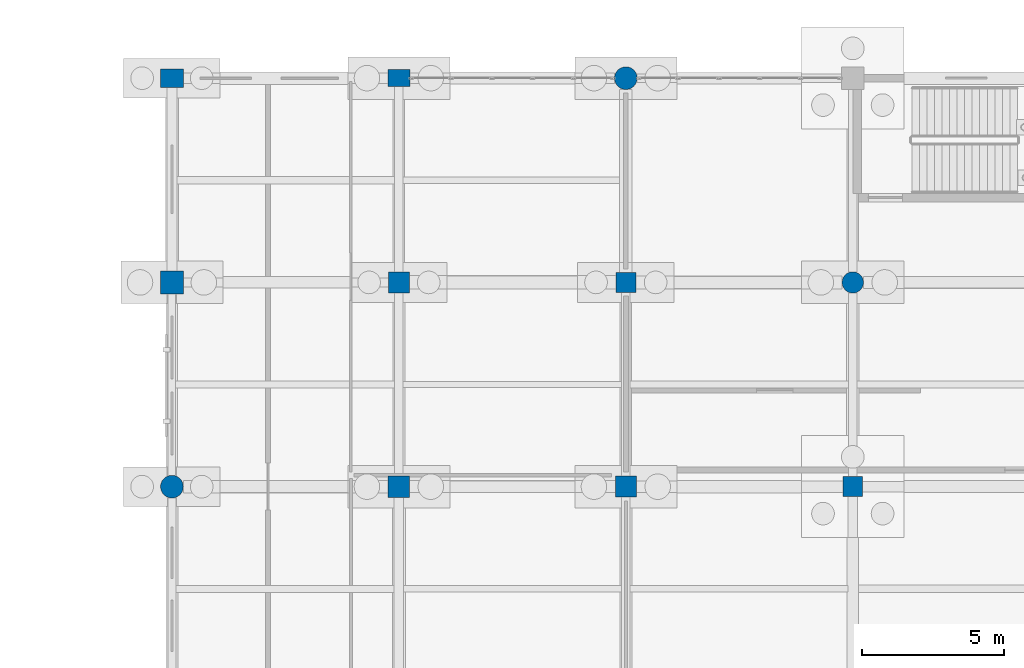
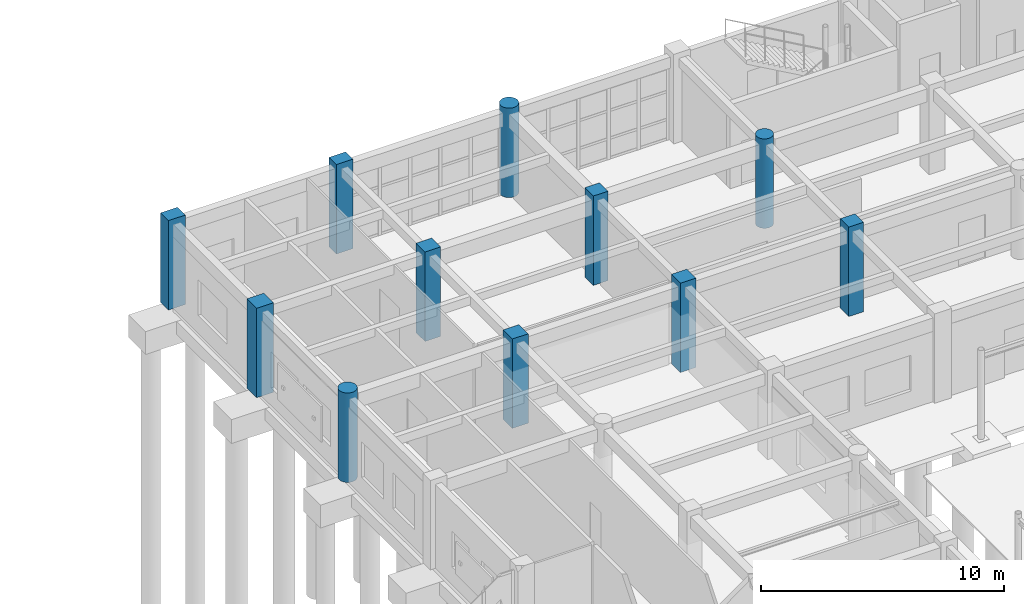
# One storey, part 33 of 166: 11 columns.
"""IFC4 building model written with IfcOpenShell, lengths in metres."""

from ifc_helpers import new_model, si_unit, direction, frame, origin, origin_2d, place, context, subcontext, project, spatial, rectangle, circle, extrude, material, material_profile, profile_set, type_object, element, save


model = new_model("IFC4")

# Units and contexts
model_context = context("Model", 3, precision=1e-05, world=origin(), true_north=direction((0.0, 1.0)))
body_context = subcontext(model_context, "Body", "Model", "MODEL_VIEW")
ifc_project = project(units=[si_unit("LENGTHUNIT", "METRE"), si_unit("AREAUNIT", "SQUARE_METRE"), si_unit("VOLUMEUNIT", "CUBIC_METRE"), si_unit("PLANEANGLEUNIT", "RADIAN"), si_unit("MASSUNIT", "GRAM", prefix="KILO")], contexts=[model_context])

# Site, building, storey
site_placement = place(None, origin())
site = spatial("IfcSite", under=ifc_project, at=site_placement, CompositionType="ELEMENT")
building_placement = place(site_placement, origin())
building = spatial("IfcBuilding", under=site, at=building_placement, Name="Kharva Crest Polytechnic", CompositionType="ELEMENT")
storey_placement = place(building_placement, origin())
storey = spatial("IfcBuildingStorey", under=building, at=storey_placement, Name="L00", CompositionType="ELEMENT", Elevation=0.0)

# Columns
ifc_material = material(Name="Concrete C40/50", Category="concrete")
ifc_material_profile_1 = material_profile(ifc_material, rectangle(XDim=0.780029296875, YDim=0.60009765625, at=origin_2d()), Name="RECT 780 X 600")
ifc_profile_set_1 = profile_set([ifc_material_profile_1], Name="Concrete C40/50")
column_type_1 = type_object("IfcColumnType", Name="COL-EXT-780X600", PredefinedType="COLUMN", material=ifc_profile_set_1)
column_1_placement = place(storey_placement, frame((40.0, 122.0, 0.0), z_axis=(0.0, 0.0, 1.0), x_axis=(1.0, 0.0, 0.0)))
element("IfcColumn", 1, at=column_1_placement, inside=storey, type_object=column_type_1, Name="L00 Column 6/S", PredefinedType="COLUMN", context=body_context, shape_type="SweptSolid", body=[
    extrude(rectangle(XDim=0.780029296875, YDim=0.60009765625, at=origin_2d()), origin(), (0.0, 0.0, 1.0), 4.5),
])
ifc_material_profile_2 = material_profile(ifc_material, rectangle(XDim=0.800048828125, YDim=0.64990234375, at=origin_2d()), Name="RECT 800 X 650")
ifc_profile_set_2 = profile_set([ifc_material_profile_2], Name="Concrete C40/50")
column_type_2 = type_object("IfcColumnType", Name="COL-EXT-800X650", PredefinedType="COLUMN", material=ifc_profile_set_2)
column_2_placement = place(storey_placement, frame((32.0, 122.0, 0.0), z_axis=(0.0, 0.0, 1.0), x_axis=(1.0, 0.0, 0.0)))
element("IfcColumn", 2, at=column_2_placement, inside=storey, type_object=column_type_2, Name="L00 Column 5/S", PredefinedType="COLUMN", context=body_context, shape_type="SweptSolid", body=[
    extrude(rectangle(XDim=0.800048828125, YDim=0.64990234375, at=origin_2d()), origin(), (0.0, 0.0, 1.0), 4.5),
])
ifc_material_profile_3 = material_profile(ifc_material, rectangle(XDim=0.800048828125, YDim=0.800048828125, at=origin_2d()), Name="RECT 800 X 800")
ifc_profile_set_3 = profile_set([ifc_material_profile_3], Name="Concrete C40/50")
column_type_3 = type_object("IfcColumnType", Name="COL-EXT-800X800", PredefinedType="COLUMN", material=ifc_profile_set_3)
column_3_placement = place(storey_placement, frame((32.0, 114.800048828125, 0.0), z_axis=(0.0, 0.0, 1.0), x_axis=(1.0, 0.0, 0.0)))
element("IfcColumn", 3, at=column_3_placement, inside=storey, type_object=column_type_3, Name="L00 Column 5/R", PredefinedType="COLUMN", context=body_context, shape_type="SweptSolid", body=[
    extrude(rectangle(XDim=0.800048828125, YDim=0.800048828125, at=origin_2d()), origin(), (0.0, 0.0, 1.0), 4.5),
])
ifc_material_profile_4 = material_profile(ifc_material, circle(Radius=0.39990234375, at=origin_2d()), Name="DIA 800")
ifc_profile_set_4 = profile_set([ifc_material_profile_4], Name="Concrete C40/50")
column_type_4 = type_object("IfcColumnType", Name="COL-EXT-DIA800", PredefinedType="COLUMN", material=ifc_profile_set_4)
for number, where, z_axis, x_axis, name in (
    (4, (32.0, 107.60009765625, 0.0), (0.0, 0.0, 1.0), (1.0, 0.0, 0.0), "L00 Column 5/Q"),
    (5, (48.0, 122.0, 0.0), (0.0, 0.0, 1.0), (1.0, 0.0, 0.0), "L00 Column 7/S"),
):
    element("IfcColumn", number, at=place(storey_placement, frame(where, z_axis=z_axis, x_axis=x_axis)), inside=storey, type_object=column_type_4, Name=name, PredefinedType="COLUMN", context=body_context, shape_type="SweptSolid", body=[
        extrude(circle(Radius=0.39990234375, at=origin_2d()), origin(), (0.0, 0.0, 1.0), 4.5),
    ])
ifc_material_profile_5 = material_profile(ifc_material, rectangle(XDim=0.699951171875, YDim=0.699951171875, at=origin_2d()), Name="RECT 700 X 700")
ifc_profile_set_5 = profile_set([ifc_material_profile_5], Name="Concrete C40/50")
column_type_5 = type_object("IfcColumnType", Name="COL-INT-700X700", PredefinedType="COLUMN", material=ifc_profile_set_5)
for number, where, z_axis, x_axis, name in (
    (6, (48.0, 114.800048828125, 0.0), (0.0, 0.0, 1.0), (1.0, 0.0, 0.0), "L00 Column 7/R"),
    (7, (56.0, 107.60009765625, 0.0), (0.0, 0.0, 1.0), (1.0, 0.0, 0.0), "L00 Column 8/Q"),
):
    element("IfcColumn", number, at=place(storey_placement, frame(where, z_axis=z_axis, x_axis=x_axis)), inside=storey, type_object=column_type_5, Name=name, PredefinedType="COLUMN", context=body_context, shape_type="SweptSolid", body=[
        extrude(rectangle(XDim=0.699951171875, YDim=0.699951171875, at=origin_2d()), origin(), (0.0, 0.0, 1.0), 4.5),
    ])
ifc_material_profile_6 = material_profile(ifc_material, rectangle(XDim=0.739990234375, YDim=0.739990234375, at=origin_2d()), Name="RECT 740 X 740")
ifc_profile_set_6 = profile_set([ifc_material_profile_6], Name="Concrete C40/50")
column_type_6 = type_object("IfcColumnType", Name="COL-INT-740X740", PredefinedType="COLUMN", material=ifc_profile_set_6)
for number, where, z_axis, x_axis, name in (
    (8, (40.0, 114.800048828125, 0.0), (0.0, 0.0, 1.0), (1.0, 0.0, 0.0), "L00 Column 6/R"),
    (9, (48.0, 107.60009765625, 0.0), (0.0, 0.0, 1.0), (1.0, 0.0, 0.0), "L00 Column 7/Q"),
):
    element("IfcColumn", number, at=place(storey_placement, frame(where, z_axis=z_axis, x_axis=x_axis)), inside=storey, type_object=column_type_6, Name=name, PredefinedType="COLUMN", context=body_context, shape_type="SweptSolid", body=[
        extrude(rectangle(XDim=0.739990234375, YDim=0.739990234375, at=origin_2d()), origin(), (0.0, 0.0, 1.0), 4.5),
    ])
ifc_material_profile_7 = material_profile(ifc_material, rectangle(XDim=0.760009765625, YDim=0.760009765625, at=origin_2d()), Name="RECT 760 X 760")
ifc_profile_set_7 = profile_set([ifc_material_profile_7], Name="Concrete C40/50")
column_type_7 = type_object("IfcColumnType", Name="COL-INT-760X760", PredefinedType="COLUMN", material=ifc_profile_set_7)
column_4_placement = place(storey_placement, frame((40.0, 107.60009765625, 0.0), z_axis=(0.0, 0.0, 1.0), x_axis=(1.0, 0.0, 0.0)))
element("IfcColumn", 10, at=column_4_placement, inside=storey, type_object=column_type_7, Name="L00 Column 6/Q", PredefinedType="COLUMN", context=body_context, shape_type="SweptSolid", body=[
    extrude(rectangle(XDim=0.760009765625, YDim=0.760009765625, at=origin_2d()), origin(), (0.0, 0.0, 1.0), 4.5),
])
ifc_material_profile_8 = material_profile(ifc_material, circle(Radius=0.375, at=origin_2d()), Name="DIA 750")
ifc_profile_set_8 = profile_set([ifc_material_profile_8], Name="Concrete C40/50")
column_type_8 = type_object("IfcColumnType", Name="COL-INT-DIA750", PredefinedType="COLUMN", material=ifc_profile_set_8)
column_5_placement = place(storey_placement, frame((56.0, 114.800048828125, 0.0), z_axis=(0.0, 0.0, 1.0), x_axis=(1.0, 0.0, 0.0)))
element("IfcColumn", 11, at=column_5_placement, inside=storey, type_object=column_type_8, Name="L00 Column 8/R", PredefinedType="COLUMN", context=body_context, shape_type="SweptSolid", body=[
    extrude(circle(Radius=0.375, at=origin_2d()), origin(), (0.0, 0.0, 1.0), 4.5),
])

save(model, "model.ifc")
